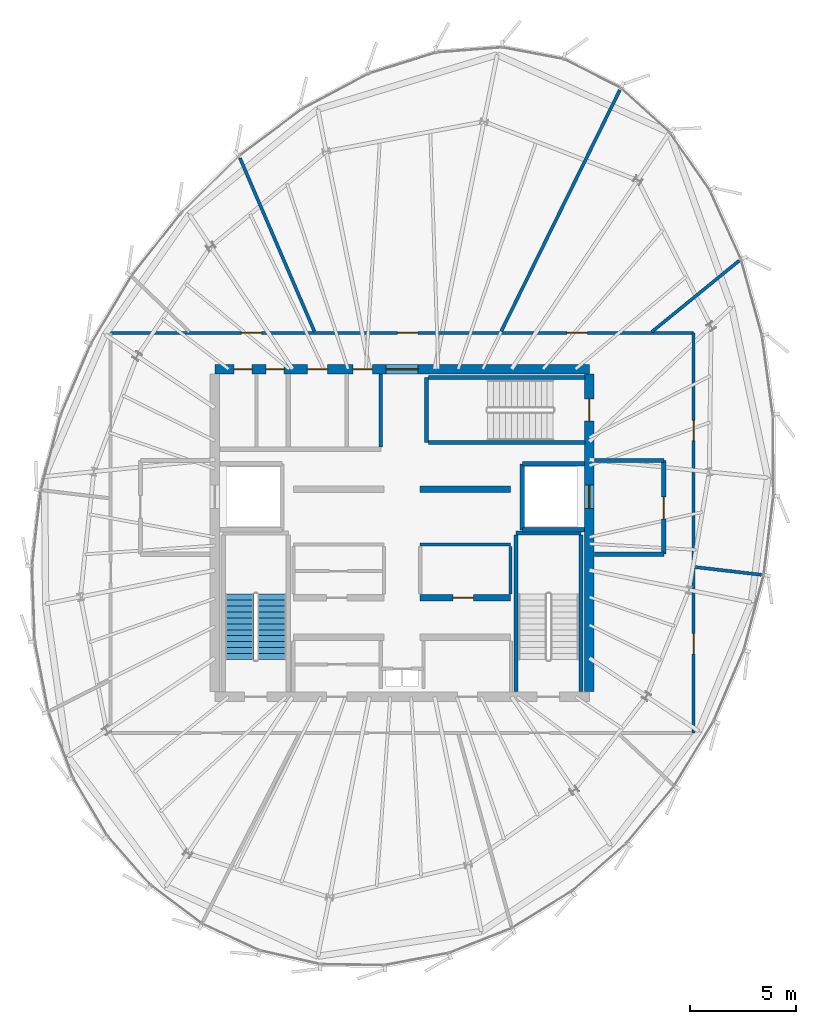
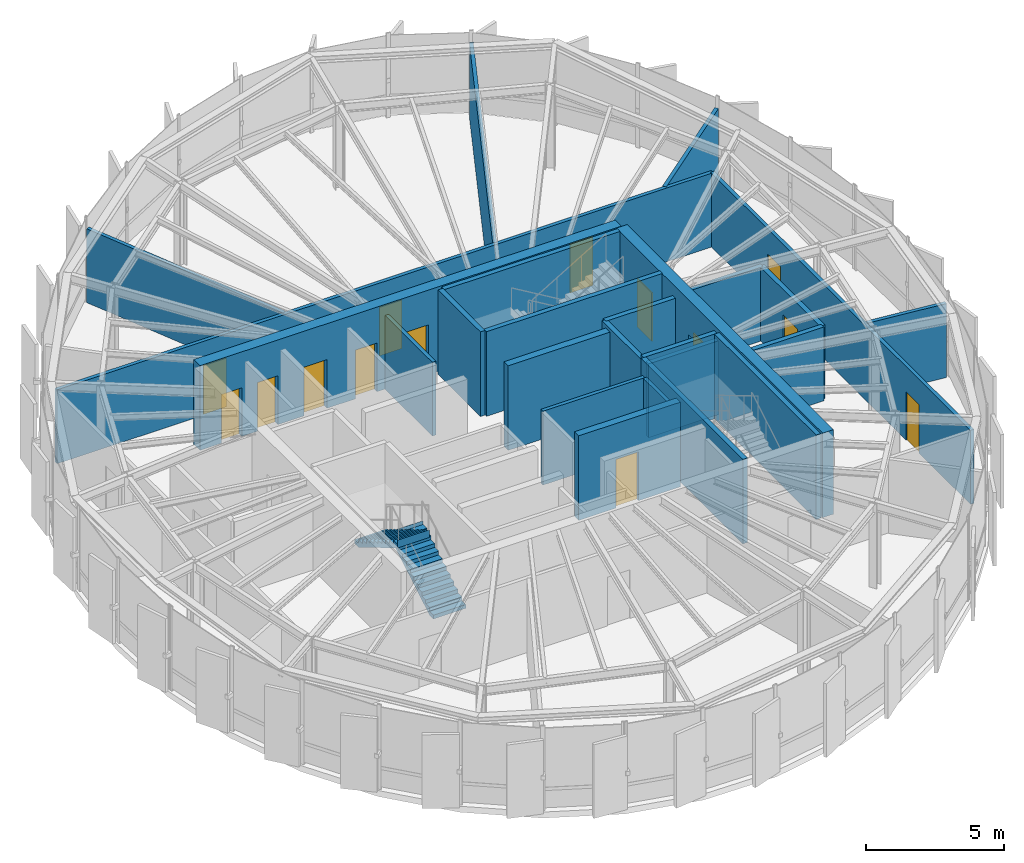
# One storey, part 22 of 26: 25 walls, 14 doors, 2 stair flights, 14 openings, 1 element without a shape of its own.
"""IFC4 building model written with IfcOpenShell, lengths in metres."""

from ifc_helpers import new_model, si_unit, direction, frame, frame_2d, origin, place, context, subcontext, project, spatial, polyline, rectangle, outline, extrude, source, transform, mapped, material, layer, layer_set, type_object, element, fill, aggregate, save


model = new_model("IFC4")

# Units and contexts
model_context = context("Model", 3, precision=1e-05, world=origin(), true_north=direction((0.0, 1.0)))
body_context = subcontext(model_context, "Body", "Model", "MODEL_VIEW")
ifc_project = project(units=[si_unit("LENGTHUNIT", "METRE"), si_unit("AREAUNIT", "SQUARE_METRE"), si_unit("VOLUMEUNIT", "CUBIC_METRE"), si_unit("PLANEANGLEUNIT", "RADIAN"), si_unit("MASSUNIT", "GRAM", prefix="KILO"), si_unit("THERMODYNAMICTEMPERATUREUNIT", "KELVIN")], contexts=[model_context])

# Site, building, storey
site_placement = place(None, origin())
site = spatial("IfcSite", under=ifc_project, at=site_placement, CompositionType="ELEMENT")
building_placement = place(site_placement, origin())
building = spatial("IfcBuilding", under=site, at=building_placement, Name="Kethvar Cultural Tower", CompositionType="ELEMENT")
storey_placement = place(building_placement, frame((0.0, 0.0, 320.300048828125)))
storey = spatial("IfcBuildingStorey", under=building, at=storey_placement, Name="L85", CompositionType="ELEMENT", Elevation=320.300048828125)

# Wall, openings, doors
ifc_material_1 = material(Name="Concrete C50/60", Category="concrete")
ifc_layer_1 = layer(ifc_material_1, 0.449951171875, Name="Concrete C50/60", Category="concrete")
ifc_layer_set_1 = layer_set([ifc_layer_1], Name="Concrete C50/60 (450 mm)")
wall_type_1 = type_object("IfcWallType", Name="WL-CORE-450", PredefinedType="SHEAR", material=ifc_layer_set_1)
wall_1_placement = place(storey_placement, frame((55.60009765625, 35.5, 0.0), z_axis=(0.0, 0.0, 1.0), x_axis=(-1.0, 0.0, 0.0)))
wall_1 = element("IfcWall", 1, at=wall_1_placement, inside=storey, type_object=wall_type_1, Name="L85 Core Shear Wall N", PredefinedType="SHEAR", context=body_context, shape_type="SweptSolid", body=[
    extrude(rectangle(XDim=17.60009765625, YDim=0.449951171875, at=frame_2d((8.800048828125, 0.0))), origin(), (0.0, 0.0, 1.0), 3.73486328125),
])
opening_1_placement = place(wall_1_placement, frame((8.050048828125, 0.0, 0.0)))
opening_1 = element("IfcOpeningElement", 2, at=opening_1_placement, cuts=wall_1, Name="Opening D-L85-LN", PredefinedType="OPENING", context=body_context, shape_type="SweptSolid", body=[
    extrude(rectangle(XDim=1.5, YDim=2.199951171875, at=frame_2d((0.75, 1.10009765625))), frame((0.0, 0.23486328125, 0.0), z_axis=(0.0, -1.0, 0.0), x_axis=(1.0, 0.0, 0.0)), (0.0, 0.0, 1.0), 0.469970703125),
])
opening_2_placement = place(wall_1_placement, frame((15.85009765625, 0.0, 0.0)))
opening_2 = element("IfcOpeningElement", 3, at=opening_2_placement, cuts=wall_1, Name="Opening D-L85-E1", PredefinedType="OPENING", context=body_context, shape_type="SweptSolid", body=[
    extrude(rectangle(XDim=0.85009765625, YDim=2.14990234375, at=frame_2d((0.425048828125, 1.074951171875))), frame((0.0, 0.23486328125, 0.0), z_axis=(0.0, -1.0, 0.0), x_axis=(1.0, 0.0, 0.0)), (0.0, 0.0, 1.0), 0.469970703125),
])
opening_3_placement = place(wall_1_placement, frame((14.35009765625, 0.0, 0.0)))
opening_3 = element("IfcOpeningElement", 4, at=opening_3_placement, cuts=wall_1, Name="Opening D-L85-E2", PredefinedType="OPENING", context=body_context, shape_type="SweptSolid", body=[
    extrude(rectangle(XDim=0.85009765625, YDim=2.14990234375, at=frame_2d((0.425048828125, 1.074951171875))), frame((0.0, 0.23486328125, 0.0), z_axis=(0.0, -1.0, 0.0), x_axis=(1.0, 0.0, 0.0)), (0.0, 0.0, 1.0), 0.469970703125),
])
opening_4_placement = place(wall_1_placement, frame((12.300048828125, 0.0, 0.0)))
opening_4 = element("IfcOpeningElement", 5, at=opening_4_placement, cuts=wall_1, Name="Opening D-L85-W1", PredefinedType="OPENING", context=body_context, shape_type="SweptSolid", body=[
    extrude(rectangle(XDim=0.949951171875, YDim=2.14990234375, at=frame_2d((0.47509765625, 1.074951171875))), frame((0.0, 0.23486328125, 0.0), z_axis=(0.0, -1.0, 0.0), x_axis=(1.0, 0.0, 0.0)), (0.0, 0.0, 1.0), 0.469970703125),
])
opening_5_placement = place(wall_1_placement, frame((10.199951171875, 0.0, 0.0)))
opening_5 = element("IfcOpeningElement", 6, at=opening_5_placement, cuts=wall_1, Name="Opening D-L85-W2", PredefinedType="OPENING", context=body_context, shape_type="SweptSolid", body=[
    extrude(rectangle(XDim=0.89990234375, YDim=2.14990234375, at=frame_2d((0.449951171875, 1.074951171875))), frame((0.0, 0.23486328125, 0.0), z_axis=(0.0, -1.0, 0.0), x_axis=(1.0, 0.0, 0.0)), (0.0, 0.0, 1.0), 0.469970703125),
])
ifc_material_2 = material(Name="Architectural Oak Timber", Category="wood")
door_type_1 = type_object("IfcDoorType", Name="DR-DBL-FD60-1500", OperationType="DOUBLE_DOOR_SINGLE_SWING", PredefinedType="DOOR", material=ifc_material_2)
shared_shape_1 = source(origin(), body_context, "Body", "SweptSolid", [
    extrude(rectangle(XDim=1.5, YDim=2.199951171875, at=frame_2d((0.75, 1.10009765625))), frame((0.0, 0.02490234375, 0.0), z_axis=(0.0, -1.0, 0.0), x_axis=(1.0, 0.0, 0.0)), (0.0, 0.0, 1.0), 0.050048828125),
])
door_1_placement = place(opening_1_placement, origin())
door_1 = element("IfcDoor", 7, at=door_1_placement, inside=storey, type_object=door_type_1, Name="L85 Lift Lobby Concourse Door", OperationType="DOUBLE_DOOR_SINGLE_SWING", OverallHeight=2.199951171875, OverallWidth=1.5, PredefinedType="DOOR", context=body_context, shape_type="MappedRepresentation", body=[
    mapped(shared_shape_1, transform((0.0, 0.0, 0.0), scale=1.0)),
])
fill(opening_1, door_1)
door_type_2 = type_object("IfcDoorType", Name="DR-FD30-950", OperationType="NOTDEFINED", PredefinedType="DOOR", material=ifc_material_2)
shared_shape_2 = source(origin(), body_context, "Body", "SweptSolid", [
    extrude(rectangle(XDim=0.949951171875, YDim=2.14990234375, at=frame_2d((0.47509765625, 1.074951171875))), frame((0.0, 0.02490234375, 0.0), z_axis=(0.0, -1.0, 0.0), x_axis=(1.0, 0.0, 0.0)), (0.0, 0.0, 1.0), 0.050048828125),
])
door_2_placement = place(opening_4_placement, origin())
door_2 = element("IfcDoor", 8, at=door_2_placement, inside=storey, type_object=door_type_2, Name="L85 Public Washroom Door", OperationType="SINGLE_SWING_LEFT", OverallHeight=2.14990234375, OverallWidth=0.949951171875, PredefinedType="DOOR", context=body_context, shape_type="MappedRepresentation", body=[
    mapped(shared_shape_2, transform((0.0, 0.0, 0.0), scale=1.0)),
])
fill(opening_4, door_2)
door_type_3 = type_object("IfcDoorType", Name="DR-FD30-900", OperationType="NOTDEFINED", PredefinedType="DOOR", material=ifc_material_2)
shared_shape_3 = source(origin(), body_context, "Body", "SweptSolid", [
    extrude(rectangle(XDim=0.89990234375, YDim=2.14990234375, at=frame_2d((0.449951171875, 1.074951171875))), frame((0.0, 0.02490234375, 0.0), z_axis=(0.0, -1.0, 0.0), x_axis=(1.0, 0.0, 0.0)), (0.0, 0.0, 1.0), 0.050048828125),
])
door_3_placement = place(opening_5_placement, origin())
door_3 = element("IfcDoor", 9, at=door_3_placement, inside=storey, type_object=door_type_3, Name="L85 Accessible Washroom Door", OperationType="SINGLE_SWING_RIGHT", OverallHeight=2.14990234375, OverallWidth=0.89990234375, PredefinedType="DOOR", context=body_context, shape_type="MappedRepresentation", body=[
    mapped(shared_shape_3, transform((0.0, 0.0, 0.0), scale=1.0)),
])
fill(opening_5, door_3)
ifc_material_3 = material(Name="Steel S355J2", Category="steel")
door_type_4 = type_object("IfcDoorType", Name="DR-FD30-850", OperationType="NOTDEFINED", PredefinedType="DOOR", material=ifc_material_3)
shared_shape_4 = source(origin(), body_context, "Body", "SweptSolid", [
    extrude(rectangle(XDim=0.85009765625, YDim=2.14990234375, at=frame_2d((0.425048828125, 1.074951171875))), frame((0.0, 0.02490234375, 0.0), z_axis=(0.0, -1.0, 0.0), x_axis=(1.0, 0.0, 0.0)), (0.0, 0.0, 1.0), 0.050048828125),
])
door_4_placement = place(opening_2_placement, origin())
door_4 = element("IfcDoor", 10, at=door_4_placement, inside=storey, type_object=door_type_4, Name="L85 Electrical Riser Door", OperationType="SINGLE_SWING_LEFT", OverallHeight=2.14990234375, OverallWidth=0.85009765625, PredefinedType="DOOR", context=body_context, shape_type="MappedRepresentation", body=[
    mapped(shared_shape_4, transform((0.0, 0.0, 0.0), scale=1.0)),
])
fill(opening_2, door_4)
door_5_placement = place(opening_3_placement, origin())
door_5 = element("IfcDoor", 11, at=door_5_placement, inside=storey, type_object=door_type_4, Name="L85 Chilled Water Riser Door", OperationType="SINGLE_SWING_RIGHT", OverallHeight=2.14990234375, OverallWidth=0.85009765625, PredefinedType="DOOR", context=body_context, shape_type="MappedRepresentation", body=[
    mapped(shared_shape_4, transform((0.0, 0.0, 0.0), scale=1.0)),
])
fill(opening_3, door_5)

wall_2_placement = place(storey_placement, frame((55.60009765625, 20.340087890625, 0.0), z_axis=(0.0, 0.0, 1.0), x_axis=(0.0, 1.0, 0.0)))
wall_2 = element("IfcWall", 12, at=wall_2_placement, inside=storey, type_object=wall_type_1, Name="L85 Core Shear Wall E", PredefinedType="SHEAR", context=body_context, shape_type="SweptSolid", body=[
    extrude(rectangle(XDim=14.919921875, YDim=0.449951171875, at=frame_2d((7.4599609375, 0.0))), origin(), (0.0, 0.0, 1.0), 3.73486328125),
])
opening_6_placement = place(wall_2_placement, frame((12.7099609375, 0.0, 0.0)))
opening_6 = element("IfcOpeningElement", 13, at=opening_6_placement, cuts=wall_2, Name="Opening D-L85-S3", PredefinedType="OPENING", context=body_context, shape_type="SweptSolid", body=[
    extrude(rectangle(XDim=1.050048828125, YDim=2.14990234375, at=frame_2d((0.52490234375, 1.074951171875))), frame((0.0, 0.23486328125, 0.0), z_axis=(0.0, -1.0, 0.0), x_axis=(1.0, 0.0, 0.0)), (0.0, 0.0, 1.0), 0.469970703125),
])
opening_7_placement = place(wall_2_placement, frame((8.610107421875, 0.0, 0.0)))
opening_7 = element("IfcOpeningElement", 14, at=opening_7_placement, cuts=wall_2, Name="Opening LD-2", PredefinedType="OPENING", context=body_context, shape_type="SweptSolid", body=[
    extrude(rectangle(XDim=1.10009765625, YDim=2.199951171875, at=frame_2d((0.550048828125, 1.10009765625))), frame((0.0, 0.23486328125, 0.0), z_axis=(0.0, -1.0, 0.0), x_axis=(1.0, 0.0, 0.0)), (0.0, 0.0, 1.0), 0.469970703125),
])
door_type_5 = type_object("IfcDoorType", Name="DR-FD60-1050", OperationType="NOTDEFINED", PredefinedType="DOOR", material=ifc_material_3)
shared_shape_5 = source(origin(), body_context, "Body", "SweptSolid", [
    extrude(rectangle(XDim=1.050048828125, YDim=2.14990234375, at=frame_2d((0.52490234375, 1.074951171875))), frame((0.0, 0.02490234375, 0.0), z_axis=(0.0, -1.0, 0.0), x_axis=(1.0, 0.0, 0.0)), (0.0, 0.0, 1.0), 0.050048828125),
])
door_6_placement = place(opening_6_placement, origin())
door_6 = element("IfcDoor", 15, at=door_6_placement, inside=storey, type_object=door_type_5, Name="L85 Exit Stair 3 Door", OperationType="SINGLE_SWING_LEFT", OverallHeight=2.14990234375, OverallWidth=1.050048828125, PredefinedType="DOOR", context=body_context, shape_type="MappedRepresentation", body=[
    mapped(shared_shape_5, transform((0.0, 0.0, 0.0), scale=1.0)),
])
fill(opening_6, door_6)
door_type_6 = type_object("IfcDoorType", Name="DR-LIFT-SLIDE-1100", OperationType="NOTDEFINED", PredefinedType="DOOR", material=ifc_material_3)
shared_shape_6 = source(origin(), body_context, "Body", "SweptSolid", [
    extrude(rectangle(XDim=1.10009765625, YDim=2.199951171875, at=frame_2d((0.550048828125, 1.10009765625))), frame((0.0, 0.02490234375, 0.0), z_axis=(0.0, -1.0, 0.0), x_axis=(1.0, 0.0, 0.0)), (0.0, 0.0, 1.0), 0.050048828125),
])
door_7_placement = place(opening_7_placement, origin())
door_7 = element("IfcDoor", 16, at=door_7_placement, inside=storey, type_object=door_type_6, Name="L85 Firefighting Lift Landing Door FFL-02", OperationType="SLIDING_TO_RIGHT", OverallHeight=2.199951171875, OverallWidth=1.10009765625, PredefinedType="DOOR", context=body_context, shape_type="MappedRepresentation", body=[
    mapped(shared_shape_6, transform((0.0, 0.0, 0.0), scale=1.0)),
])
fill(opening_7, door_7)

# Walls
ifc_material_4 = material(Name="Gypsum Fireboard Partition")
ifc_layer_2 = layer(ifc_material_4, 0.14990234375, Name="Gypsum Fireboard Partition")
ifc_layer_set_2 = layer_set([ifc_layer_2], Name="Gypsum Fireboard Partition (150 mm)")
wall_type_2 = type_object("IfcWallType", Name="WL-FIRE-150", PredefinedType="PARTITIONING", material=ifc_layer_set_2)
wall_3_placement = place(storey_placement, frame((47.64990234375, 27.25, 0.0), z_axis=(0.0, 0.0, 1.0), x_axis=(1.0, 0.0, 0.0)))
element("IfcWall", 17, at=wall_3_placement, inside=storey, type_object=wall_type_2, Name="L85 Reclaimed Mid Wall E", PredefinedType="PARTITIONING", context=body_context, shape_type="SweptSolid", body=[
    extrude(rectangle(XDim=4.25, YDim=0.14990234375, at=frame_2d((2.125, 0.0))), origin(), (0.0, 0.0, 1.0), 3.260009765625),
])
wall_4_placement = place(storey_placement, frame((51.89990234375, 24.919921875, 0.0), z_axis=(0.0, 0.0, 1.0), x_axis=(0.0, 1.0, 0.0)))
element("IfcWall", 18, at=wall_4_placement, inside=storey, type_object=wall_type_2, Name="L85 Reclaimed Mid Outer E", PredefinedType="PARTITIONING", context=body_context, shape_type="SweptSolid", body=[
    extrude(rectangle(XDim=2.239990234375, YDim=0.14990234375, at=frame_2d((1.1201171875, 0.0))), origin(), (0.0, 0.0, 1.0), 3.260009765625),
])
wall_5_placement = place(storey_placement, frame((45.800048828125, 31.85009765625, 0.0), z_axis=(0.0, 0.0, 1.0), x_axis=(0.0, 1.0, 0.0)))
element("IfcWall", 19, at=wall_5_placement, inside=storey, type_object=wall_type_2, Name="L85 Sanitary Spine Wall", PredefinedType="PARTITIONING", context=body_context, shape_type="SweptSolid", body=[
    extrude(rectangle(XDim=3.414794921875, YDim=0.14990234375, at=frame_2d((1.70751953125, 0.0))), origin(), (0.0, 0.0, 1.0), 3.260009765625),
])

# Wall, openings, doors
wall_6_placement = place(storey_placement, frame((60.5, 18.39990234375, 0.0), z_axis=(0.0, 0.0, 1.0), x_axis=(0.0, 1.0, 0.0)))
wall_6 = element("IfcWall", 20, at=wall_6_placement, inside=storey, type_object=wall_type_2, Name="L85 Corridor Rated Wall E", PredefinedType="PARTITIONING", context=body_context, shape_type="SweptSolid", body=[
    extrude(rectangle(XDim=18.800048828125, YDim=0.14990234375, at=frame_2d((9.39990234375, 0.0))), origin(), (0.0, 0.0, 1.0), 3.260009765625),
])
opening_8_placement = place(wall_6_placement, frame((3.716796875, 0.0, 0.0)))
opening_8 = element("IfcOpeningElement", 21, at=opening_8_placement, cuts=wall_6, Name="Opening D-L85-04", PredefinedType="OPENING", context=body_context, shape_type="SweptSolid", body=[
    extrude(rectangle(XDim=0.949951171875, YDim=2.14990234375, at=frame_2d((0.47509765625, 1.074951171875))), frame((0.0, 0.0849609375, 0.0), z_axis=(0.0, -1.0, 0.0), x_axis=(1.0, 0.0, 0.0)), (0.0, 0.0, 1.0), 0.169921875),
])
opening_9_placement = place(wall_6_placement, frame((13.73583984375, 0.0, 0.0)))
opening_9 = element("IfcOpeningElement", 22, at=opening_9_placement, cuts=wall_6, Name="Opening D-L85-05", PredefinedType="OPENING", context=body_context, shape_type="SweptSolid", body=[
    extrude(rectangle(XDim=0.949951171875, YDim=2.14990234375, at=frame_2d((0.47509765625, 1.074951171875))), frame((0.0, 0.0849609375, 0.0), z_axis=(0.0, -1.0, 0.0), x_axis=(1.0, 0.0, 0.0)), (0.0, 0.0, 1.0), 0.169921875),
])
door_8_placement = place(opening_8_placement, origin())
door_8 = element("IfcDoor", 23, at=door_8_placement, inside=storey, type_object=door_type_2, Name="L85 MV Transformer Plant Room 04 Door", OperationType="SINGLE_SWING_LEFT", OverallHeight=2.14990234375, OverallWidth=0.949951171875, PredefinedType="DOOR", context=body_context, shape_type="MappedRepresentation", body=[
    mapped(shared_shape_2, transform((0.0, 0.0, 0.0), scale=1.0)),
])
fill(opening_8, door_8)
door_9_placement = place(opening_9_placement, origin())
door_9 = element("IfcDoor", 24, at=door_9_placement, inside=storey, type_object=door_type_2, Name="L85 Fire Reserve Tank Plant Room 05 Door", OperationType="SINGLE_SWING_RIGHT", OverallHeight=2.14990234375, OverallWidth=0.949951171875, PredefinedType="DOOR", context=body_context, shape_type="MappedRepresentation", body=[
    mapped(shared_shape_2, transform((0.0, 0.0, 0.0), scale=1.0)),
])
fill(opening_9, door_9)

wall_7_placement = place(storey_placement, frame((60.5, 37.199951171875, 0.0), z_axis=(0.0, 0.0, 1.0), x_axis=(-1.0, 0.0, 0.0)))
wall_7 = element("IfcWall", 25, at=wall_7_placement, inside=storey, type_object=wall_type_2, Name="L85 Corridor Rated Wall N", PredefinedType="PARTITIONING", context=body_context, shape_type="SweptSolid", body=[
    extrude(rectangle(XDim=27.39990234375, YDim=0.14990234375, at=frame_2d((13.699951171875, 0.0))), origin(), (0.0, 0.0, 1.0), 3.260009765625),
])
opening_10_placement = place(wall_7_placement, frame((4.99462890625, 0.0, 0.0)))
opening_10 = element("IfcOpeningElement", 26, at=opening_10_placement, cuts=wall_7, Name="Opening D-L85-06", PredefinedType="OPENING", context=body_context, shape_type="SweptSolid", body=[
    extrude(rectangle(XDim=0.949951171875, YDim=2.14990234375, at=frame_2d((0.47509765625, 1.074951171875))), frame((0.0, 0.0849609375, 0.0), z_axis=(0.0, -1.0, 0.0), x_axis=(1.0, 0.0, 0.0)), (0.0, 0.0, 1.0), 0.169921875),
])
opening_11_placement = place(wall_7_placement, frame((12.956298828125, 0.0, 0.0)))
opening_11 = element("IfcOpeningElement", 27, at=opening_11_placement, cuts=wall_7, Name="Opening D-L85-07", PredefinedType="OPENING", context=body_context, shape_type="SweptSolid", body=[
    extrude(rectangle(XDim=0.949951171875, YDim=2.14990234375, at=frame_2d((0.47509765625, 1.074951171875))), frame((0.0, 0.0849609375, 0.0), z_axis=(0.0, -1.0, 0.0), x_axis=(1.0, 0.0, 0.0)), (0.0, 0.0, 1.0), 0.169921875),
])
opening_12_placement = place(wall_7_placement, frame((20.302978515625, 0.0, 0.0)))
opening_12 = element("IfcOpeningElement", 28, at=opening_12_placement, cuts=wall_7, Name="Opening D-L85-08", PredefinedType="OPENING", context=body_context, shape_type="SweptSolid", body=[
    extrude(rectangle(XDim=0.949951171875, YDim=2.14990234375, at=frame_2d((0.47509765625, 1.074951171875))), frame((0.0, 0.0849609375, 0.0), z_axis=(0.0, -1.0, 0.0), x_axis=(1.0, 0.0, 0.0)), (0.0, 0.0, 1.0), 0.169921875),
])
door_10_placement = place(opening_10_placement, origin())
door_10 = element("IfcDoor", 29, at=door_10_placement, inside=storey, type_object=door_type_2, Name="L85 Facade BMU Mechanical Plant Room 06 Door", OperationType="SINGLE_SWING_LEFT", OverallHeight=2.14990234375, OverallWidth=0.949951171875, PredefinedType="DOOR", context=body_context, shape_type="MappedRepresentation", body=[
    mapped(shared_shape_2, transform((0.0, 0.0, 0.0), scale=1.0)),
])
fill(opening_10, door_10)
door_11_placement = place(opening_11_placement, origin())
door_11 = element("IfcDoor", 30, at=door_11_placement, inside=storey, type_object=door_type_2, Name="L85 Cooling Tower Pump Plant Room 07 Door", OperationType="SINGLE_SWING_RIGHT", OverallHeight=2.14990234375, OverallWidth=0.949951171875, PredefinedType="DOOR", context=body_context, shape_type="MappedRepresentation", body=[
    mapped(shared_shape_2, transform((0.0, 0.0, 0.0), scale=1.0)),
])
fill(opening_11, door_11)
door_12_placement = place(opening_12_placement, origin())
door_12 = element("IfcDoor", 31, at=door_12_placement, inside=storey, type_object=door_type_2, Name="L85 Emergency UPS Plant Room 08 Door", OperationType="SINGLE_SWING_LEFT", OverallHeight=2.14990234375, OverallWidth=0.949951171875, PredefinedType="DOOR", context=body_context, shape_type="MappedRepresentation", body=[
    mapped(shared_shape_2, transform((0.0, 0.0, 0.0), scale=1.0)),
])
fill(opening_12, door_12)

# Walls
wall_8_placement = place(storey_placement, frame((60.57958984375, 26.1943359375, 0.0), z_axis=(0.0, 0.0, 1.0), x_axis=(0.993303836754, -0.115531328606, 0.0)))
element("IfcWall", 32, at=wall_8_placement, inside=storey, type_object=wall_type_2, Name="L85 Radial Partition Wall 05", PredefinedType="PARTITIONING", context=body_context, shape_type="SweptSolid", body=[
    extrude(rectangle(XDim=3.12548828125, YDim=0.14990234375, at=frame_2d((1.562744140625, 0.0))), origin(), (0.0, 0.0, 1.0), 3.260009765625),
])
wall_9_placement = place(storey_placement, frame((58.5341796875, 37.25048828125, 0.0), z_axis=(0.0, 0.0, 1.0), x_axis=(0.775394599075, 0.63147701124, 0.0)))
element("IfcWall", 33, at=wall_9_placement, inside=storey, type_object=wall_type_2, Name="L85 Radial Partition Wall 06", PredefinedType="PARTITIONING", context=body_context, shape_type="SweptSolid", body=[
    extrude(rectangle(XDim=5.2978515625, YDim=0.14990234375, at=frame_2d((2.64892578125, 0.0))), origin(), (0.0, 0.0, 1.0), 3.260009765625),
])
wall_10_placement = place(storey_placement, frame((51.45703125, 37.271728515625, 0.0), z_axis=(0.0, 0.0, 1.0), x_axis=(0.44109774977, 0.897459066001, 0.0)))
element("IfcWall", 34, at=wall_10_placement, inside=storey, type_object=wall_type_2, Name="L85 Radial Partition Wall 07", PredefinedType="PARTITIONING", context=body_context, shape_type="SweptSolid", body=[
    extrude(rectangle(XDim=12.635986328125, YDim=0.14990234375, at=frame_2d((6.31787109375, 0.0))), origin(), (0.0, 0.0, 1.0), 3.260009765625),
])
wall_11_placement = place(storey_placement, frame((42.677490234375, 37.2734375, 0.0), z_axis=(0.0, 0.0, 1.0), x_axis=(-0.394697293261, 0.918811213848, 0.0)))
element("IfcWall", 35, at=wall_11_placement, inside=storey, type_object=wall_type_2, Name="L85 Radial Partition Wall 08", PredefinedType="PARTITIONING", context=body_context, shape_type="SweptSolid", body=[
    extrude(rectangle(XDim=8.86083984375, YDim=0.14990234375, at=frame_2d((4.430419921875, 0.0))), origin(), (0.0, 0.0, 1.0), 3.260009765625),
])
ifc_material_5 = material(Name="Concrete C40/50", Category="concrete")
ifc_layer_3 = layer(ifc_material_5, 0.199951171875, Name="Concrete C40/50", Category="concrete")
ifc_layer_set_3 = layer_set([ifc_layer_3], Name="Concrete C40/50 (200 mm)")
wall_type_3 = type_object("IfcWallType", Name="WL-FIRE-200", PredefinedType="PARTITIONING", material=ifc_layer_set_3)
wall_12_placement = place(storey_placement, frame((52.449951171875, 27.949951171875, 0.0), z_axis=(0.0, 0.0, 1.0), x_axis=(0.0, 1.0, 0.0)))
element("IfcWall", 36, at=wall_12_placement, inside=storey, type_object=wall_type_3, Name="L85 FFL-02 Shaft Inner Wall", PredefinedType="PARTITIONING", context=body_context, shape_type="SweptSolid", body=[
    extrude(rectangle(XDim=3.10009765625, YDim=0.199951171875, at=frame_2d((1.550048828125, 0.0))), origin(), (0.0, 0.0, 1.0), 3.260009765625),
])
for number, where, z_axis, x_axis, name in (
    (37, (52.449951171875, 27.949951171875, 0.0), (0.0, 0.0, 1.0), (1.0, 0.0, 0.0), "L85 FFL-02 Shaft South Wall"),
    (38, (52.449951171875, 31.050048828125, 0.0), (0.0, 0.0, 1.0), (1.0, 0.0, 0.0), "L85 FFL-02 Shaft North Wall"),
):
    element("IfcWall", number, at=place(storey_placement, frame(where, z_axis=z_axis, x_axis=x_axis)), inside=storey, type_object=wall_type_3, Name=name, PredefinedType="PARTITIONING", context=body_context, shape_type="SweptSolid", body=[
        extrude(rectangle(XDim=2.9150390625, YDim=0.199951171875, at=frame_2d((1.45751953125, 0.0))), origin(), (0.0, 0.0, 1.0), 3.260009765625),
    ])

# Wall, opening, door
wall_13_placement = place(storey_placement, frame((59.10009765625, 26.800048828125, 0.0), z_axis=(0.0, 0.0, 1.0), x_axis=(0.0, 1.0, 0.0)))
wall_13 = element("IfcWall", 39, at=wall_13_placement, inside=storey, type_object=wall_type_3, Name="L85 Firefighting Lobby 2 Wall", PredefinedType="PARTITIONING", context=body_context, shape_type="SweptSolid", body=[
    extrude(rectangle(XDim=4.39990234375, YDim=0.199951171875, at=frame_2d((2.199951171875, 0.0))), origin(), (0.0, 0.0, 1.0), 3.260009765625),
])
opening_13_placement = place(wall_13_placement, frame((1.64990234375, 0.0, 0.0)))
opening_13 = element("IfcOpeningElement", 40, at=opening_13_placement, cuts=wall_13, Name="Opening D-L85-F2", PredefinedType="OPENING", context=body_context, shape_type="SweptSolid", body=[
    extrude(rectangle(XDim=1.050048828125, YDim=2.14990234375, at=frame_2d((0.52490234375, 1.074951171875))), frame((0.0, 0.10986328125, 0.0), z_axis=(0.0, -1.0, 0.0), x_axis=(1.0, 0.0, 0.0)), (0.0, 0.0, 1.0), 0.219970703125),
])
door_13_placement = place(opening_13_placement, origin())
door_13 = element("IfcDoor", 41, at=door_13_placement, inside=storey, type_object=door_type_5, Name="L85 Firefighting Lobby 2 Fire Door", OperationType="SINGLE_SWING_LEFT", OverallHeight=2.14990234375, OverallWidth=1.050048828125, PredefinedType="DOOR", context=body_context, shape_type="MappedRepresentation", body=[
    mapped(shared_shape_5, transform((0.0, 0.0, 0.0), scale=1.0)),
])
fill(opening_13, door_13)

# Walls
for number, where, z_axis, x_axis, name in (
    (42, (55.8349609375, 26.800048828125, 0.0), (0.0, 0.0, 1.0), (1.0, 0.0, 0.0), "L85 FF Lobby 2 South Wall"),
    (43, (55.8349609375, 31.199951171875, 0.0), (0.0, 0.0, 1.0), (1.0, 0.0, 0.0), "L85 FF Lobby 2 North Wall"),
):
    element("IfcWall", number, at=place(storey_placement, frame(where, z_axis=z_axis, x_axis=x_axis)), inside=storey, type_object=wall_type_3, Name=name, PredefinedType="PARTITIONING", context=body_context, shape_type="SweptSolid", body=[
        extrude(rectangle(XDim=3.26513671875, YDim=0.199951171875, at=frame_2d((1.632568359375, 0.0))), origin(), (0.0, 0.0, 1.0), 3.260009765625),
    ])

# Wall, opening, door
ifc_layer_4 = layer(ifc_material_1, 0.300048828125, Name="Concrete C50/60", Category="concrete")
ifc_layer_set_4 = layer_set([ifc_layer_4], Name="Concrete C50/60 (300 mm)")
wall_type_4 = type_object("IfcWallType", Name="WL-SHAFT-300", PredefinedType="SHEAR", material=ifc_layer_set_4)
wall_14_placement = place(storey_placement, frame((47.64990234375, 24.75, 0.0), z_axis=(0.0, 0.0, 1.0), x_axis=(1.0, 0.0, 0.0)))
wall_14 = element("IfcWall", 44, at=wall_14_placement, inside=storey, type_object=wall_type_4, Name="L85 Core Lift Spine Wall MID2E", PredefinedType="SHEAR", context=body_context, shape_type="SweptSolid", body=[
    extrude(rectangle(XDim=4.25, YDim=0.300048828125, at=frame_2d((2.125, 0.0))), origin(), (0.0, 0.0, 1.0), 3.73486328125),
])
opening_14_placement = place(wall_14_placement, frame((1.550048828125, 0.0, 0.0)))
opening_14 = element("IfcOpeningElement", 45, at=opening_14_placement, cuts=wall_14, Name="Opening D-L85-M2", PredefinedType="OPENING", context=body_context, shape_type="SweptSolid", body=[
    extrude(rectangle(XDim=0.949951171875, YDim=2.14990234375, at=frame_2d((0.47509765625, 1.074951171875))), frame((0.0, 0.159912109375, 0.0), z_axis=(0.0, -1.0, 0.0), x_axis=(1.0, 0.0, 0.0)), (0.0, 0.0, 1.0), 0.320068359375),
])
door_14_placement = place(opening_14_placement, origin())
door_14 = element("IfcDoor", 46, at=door_14_placement, inside=storey, type_object=door_type_2, Name="L85 Sky Archive Annex Door", OperationType="SINGLE_SWING_RIGHT", OverallHeight=2.14990234375, OverallWidth=0.949951171875, PredefinedType="DOOR", context=body_context, shape_type="MappedRepresentation", body=[
    mapped(shared_shape_2, transform((0.0, 0.0, 0.0), scale=1.0)),
])
fill(opening_14, door_14)

# Walls
wall_15_placement = place(storey_placement, frame((47.64990234375, 29.85009765625, 0.0), z_axis=(0.0, 0.0, 1.0), x_axis=(1.0, 0.0, 0.0)))
element("IfcWall", 47, at=wall_15_placement, inside=storey, type_object=wall_type_4, Name="L85 Core Lift Spine Wall MID3E", PredefinedType="SHEAR", context=body_context, shape_type="SweptSolid", body=[
    extrude(rectangle(XDim=4.25, YDim=0.300048828125, at=frame_2d((2.125, 0.0))), origin(), (0.0, 0.0, 1.0), 3.73486328125),
])
ifc_layer_5 = layer(ifc_material_1, 0.199951171875, Name="Concrete C50/60", Category="concrete")
ifc_layer_set_5 = layer_set([ifc_layer_5], Name="Concrete C50/60 (200 mm)")
wall_type_5 = type_object("IfcWallType", Name="WL-STSHAFT-200", PredefinedType="SHEAR", material=ifc_layer_set_5)
wall_16_placement = place(storey_placement, frame((52.14990234375, 27.800048828125, 0.0), z_axis=(0.0, 0.0, 1.0), x_axis=(1.0, 0.0, 0.0)))
element("IfcWall", 48, at=wall_16_placement, inside=storey, type_object=wall_type_5, Name="L85 ST-02 Stair Shaft Wall FAR", PredefinedType="SHEAR", context=body_context, shape_type="SweptSolid", body=[
    extrude(rectangle(XDim=3.06005859375, YDim=0.199951171875, at=frame_2d((1.530029296875, 0.0))), origin(), (0.0, 0.0, 1.0), 3.73486328125),
])
for number, where, z_axis, x_axis, name in (
    (49, (55.2099609375, 27.699951171875, 0.0), (0.0, 0.0, 1.0), (0.0, -1.0, 0.0), "L85 ST-02 Stair Shaft Wall LEFT"),
    (50, (52.14990234375, 20.35009765625, 0.0), (0.0, 0.0, 1.0), (0.0, 1.0, 0.0), "L85 ST-02 Stair Shaft Wall RIGHT"),
):
    element("IfcWall", number, at=place(storey_placement, frame(where, z_axis=z_axis, x_axis=x_axis)), inside=storey, type_object=wall_type_5, Name=name, PredefinedType="SHEAR", context=body_context, shape_type="SweptSolid", body=[
        extrude(rectangle(XDim=7.349853515625, YDim=0.199951171875, at=frame_2d((3.6748046875, 0.0))), origin(), (0.0, 0.0, 1.0), 3.73486328125),
    ])
wall_17_placement = place(storey_placement, frame((47.949951171875, 32.050048828125, 0.0), z_axis=(0.0, 0.0, 1.0), x_axis=(0.0, 1.0, 0.0)))
element("IfcWall", 51, at=wall_17_placement, inside=storey, type_object=wall_type_5, Name="L85 ST-03 Stair Shaft Wall FAR", PredefinedType="SHEAR", context=body_context, shape_type="SweptSolid", body=[
    extrude(rectangle(XDim=3.06005859375, YDim=0.199951171875, at=frame_2d((1.530029296875, 0.0))), origin(), (0.0, 0.0, 1.0), 3.73486328125),
])
for number, where, z_axis, x_axis, name in (
    (52, (48.050048828125, 35.110107421875, 0.0), (0.0, 0.0, 1.0), (1.0, 0.0, 0.0), "L85 ST-03 Stair Shaft Wall LEFT"),
    (53, (55.39990234375, 32.050048828125, 0.0), (0.0, 0.0, 1.0), (-1.0, 0.0, 0.0), "L85 ST-03 Stair Shaft Wall RIGHT"),
):
    element("IfcWall", number, at=place(storey_placement, frame(where, z_axis=z_axis, x_axis=x_axis)), inside=storey, type_object=wall_type_5, Name=name, PredefinedType="SHEAR", context=body_context, shape_type="SweptSolid", body=[
        extrude(rectangle(XDim=7.349853515625, YDim=0.199951171875, at=frame_2d((3.6748046875, 0.0))), origin(), (0.0, 0.0, 1.0), 3.73486328125),
    ])

# Stair, stair flights
stair_type = type_object("IfcStairType", Name="ST-DOGLEG-135", PredefinedType="HALF_TURN_STAIR", material=ifc_material_5)
stair_placement = place(storey_placement, origin())
stair = element("IfcStair", 54, at=stair_placement, inside=storey, type_object=stair_type, Name="L85 Core Exit Stair 1", PredefinedType="HALF_TURN_STAIR")
stair_flight_type = type_object("IfcStairFlightType", Name="FL-STRAIGHT-135", PredefinedType="STRAIGHT", material=ifc_material_5)
stair_flight_1_placement = place(storey_placement, frame((40.675048828125, 21.85009765625, 0.0), z_axis=(0.0, 0.0, 1.0), x_axis=(0.0, 1.0, 0.0)))
stair_flight_1 = element("IfcStairFlight", 55, at=stair_flight_1_placement, type_object=stair_flight_type, Name="ST-01 flight 1", NumberOfRisers=12, NumberOfTreads=11, PredefinedType="STRAIGHT", RiserHeight=0.166666667, TreadLength=0.28, context=body_context, shape_type="SweptSolid", body=[
    extrude(outline(polyline([(-0.0009765625, -0.0009765625), (-0.0009765625, 0.166748046875), (0.280029296875, 0.166748046875), (0.280029296875, 0.333251953125), (0.56005859375, 0.333251953125), (0.56005859375, 0.5), (0.840087890625, 0.5), (0.840087890625, 0.666748046875), (1.1201171875, 0.666748046875), (1.1201171875, 0.833251953125), (1.39990234375, 0.833251953125), (1.39990234375, 1.0), (1.679931640625, 1.0), (1.679931640625, 1.166748046875), (1.9599609375, 1.166748046875), (1.9599609375, 1.333251953125), (2.239990234375, 1.333251953125), (2.239990234375, 1.5), (2.52001953125, 1.5), (2.52001953125, 1.666748046875), (2.800048828125, 1.666748046875), (2.800048828125, 1.833251953125), (3.080078125, 1.833251953125), (3.080078125, 2.0), (3.0810546875, 2.0), (3.0810546875, 1.658935546875), (0.29296875, 0.0), (0.0, -0.0009765625), (-0.0009765625, -0.0009765625)])), frame((0.0, 0.675048828125, 0.0), z_axis=(0.0, -1.0, 0.0), x_axis=(1.0, 0.0, 0.0)), (0.0, 0.0, 1.0), 1.35009765625),
])
stair_flight_2_placement = place(storey_placement, frame((39.1650390625, 24.929931640625, 2.0), z_axis=(0.0, 0.0, 1.0), x_axis=(0.0, -1.0, 0.0)))
stair_flight_2 = element("IfcStairFlight", 56, at=stair_flight_2_placement, type_object=stair_flight_type, Name="ST-01 flight 2", NumberOfRisers=12, NumberOfTreads=11, PredefinedType="STRAIGHT", RiserHeight=0.166666667, TreadLength=0.28, context=body_context, shape_type="SweptSolid", body=[
    extrude(outline(polyline([(-0.0009765625, -0.0009765625), (-0.0009765625, 0.166748046875), (0.280029296875, 0.166748046875), (0.280029296875, 0.333251953125), (0.56005859375, 0.333251953125), (0.56005859375, 0.5), (0.840087890625, 0.5), (0.840087890625, 0.666748046875), (1.1201171875, 0.666748046875), (1.1201171875, 0.833251953125), (1.39990234375, 0.833251953125), (1.39990234375, 1.0), (1.679931640625, 1.0), (1.679931640625, 1.166748046875), (1.9599609375, 1.166748046875), (1.9599609375, 1.333251953125), (2.239990234375, 1.333251953125), (2.239990234375, 1.5), (2.52001953125, 1.5), (2.52001953125, 1.666748046875), (2.800048828125, 1.666748046875), (2.800048828125, 1.833251953125), (3.080078125, 1.833251953125), (3.080078125, 2.0), (3.0810546875, 2.0), (3.0810546875, 1.658935546875), (0.29296875, 0.0), (0.0, -0.0009765625), (-0.0009765625, -0.0009765625)])), frame((0.0, 0.675048828125, 0.0), z_axis=(0.0, -1.0, 0.0), x_axis=(1.0, 0.0, 0.0)), (0.0, 0.0, 1.0), 1.35009765625),
])
aggregate(stair, [stair_flight_1, stair_flight_2])

save(model, "model.ifc")
